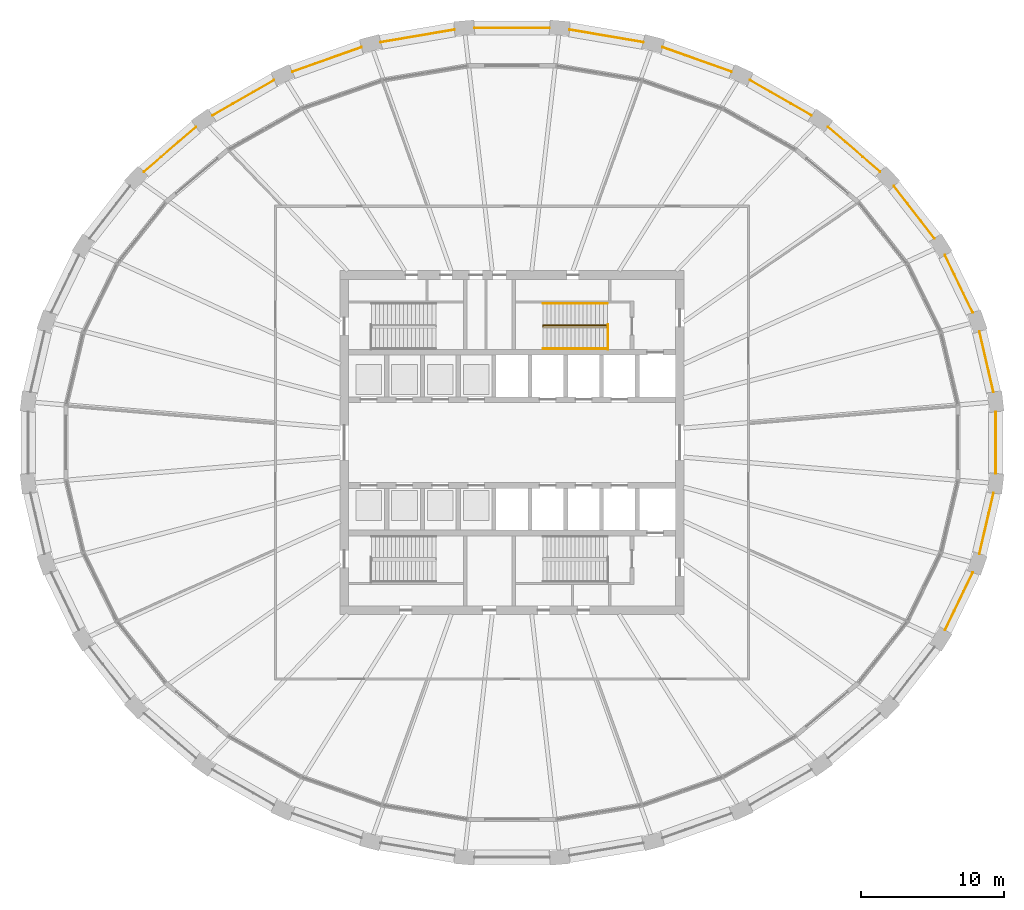
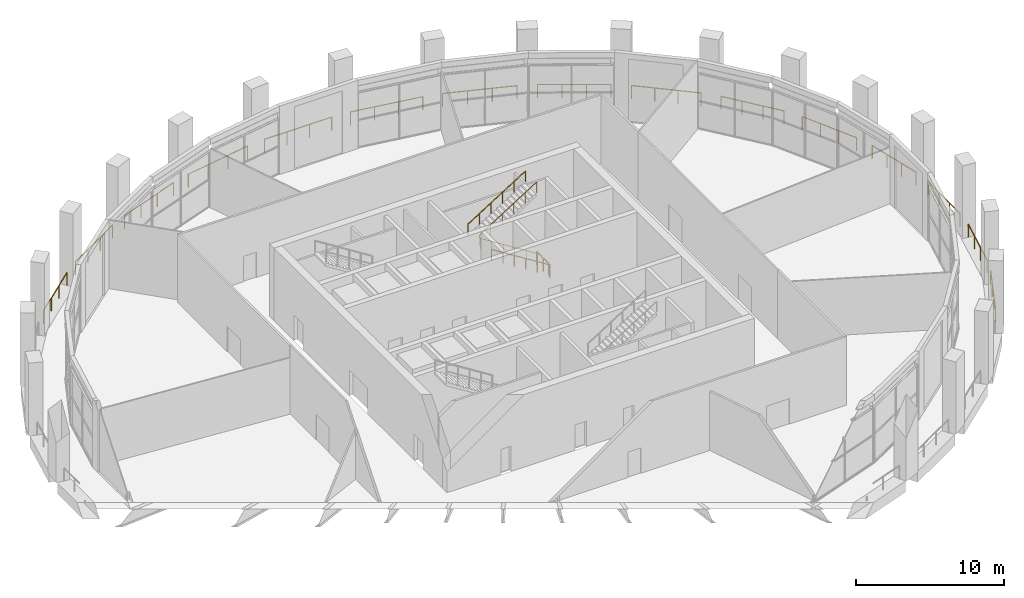
# One storey, part 18 of 19: 19 railings.
"""IFC4 building model written with IfcOpenShell, lengths in metres."""

from ifc_helpers import new_model, si_unit, direction, frame, origin, origin_2d, place, context, subcontext, project, spatial, circle, extrude, material, type_object, element, save


model = new_model("IFC4")

# Units and contexts
model_context = context("Model", 3, precision=1e-05, world=origin(), true_north=direction((0.0, 1.0)))
body_context = subcontext(model_context, "Body", "Model", "MODEL_VIEW")
ifc_project = project(units=[si_unit("LENGTHUNIT", "METRE"), si_unit("AREAUNIT", "SQUARE_METRE"), si_unit("VOLUMEUNIT", "CUBIC_METRE"), si_unit("PLANEANGLEUNIT", "RADIAN"), si_unit("MASSUNIT", "GRAM", prefix="KILO")], contexts=[model_context])

# Site, building, storey
site_placement = place(None, origin())
site = spatial("IfcSite", under=ifc_project, at=site_placement, CompositionType="ELEMENT")
building_placement = place(site_placement, origin())
building = spatial("IfcBuilding", under=site, at=building_placement, Name="Halqa Exchange Tower", CompositionType="ELEMENT")
storey_placement = place(building_placement, frame((0.0, 0.0, 167.5)))
storey = spatial("IfcBuildingStorey", under=building, at=storey_placement, Name="L38", CompositionType="ELEMENT", Elevation=167.5)

# Railings
ifc_material = material(Name="Stainless steel", Category="steel")
railing_type_1 = type_object("IfcRailingType", Name="Guard 1100 stainless steel", PredefinedType="GUARDRAIL", material=ifc_material)
railing_1_placement = place(storey_placement, frame((33.599609375, 3.53173828125, 0.0)))
element("IfcRailing", 1, at=railing_1_placement, inside=storey, type_object=railing_type_1, Name="Loggia guard 1", PredefinedType="GUARDRAIL", context=body_context, shape_type="SweptSolid", body=[
    extrude(circle(Radius=0.02392578125, at=origin_2d()), frame((0.0, 0.0, 1.076171875), z_axis=(-0.226083943623, 0.974107822798, 0.0), x_axis=(-0.974107822798, -0.226083943623, 0.0)), (0.0, 0.0, 1.0), 4.3388671875),
    extrude(circle(Radius=0.02099609375, at=origin_2d()), origin(), (0.0, 0.0, 1.0), 1.052001953125),
    extrude(circle(Radius=0.02099609375, at=origin_2d()), frame((-0.326904296875, 1.408935546875, 0.0)), (0.0, 0.0, 1.0), 1.052001953125),
    extrude(circle(Radius=0.02099609375, at=origin_2d()), frame((-0.654052734375, 2.817626953125, 0.0)), (0.0, 0.0, 1.0), 1.052001953125),
    extrude(circle(Radius=0.02099609375, at=origin_2d()), frame((-0.98095703125, 4.2265625, 0.0)), (0.0, 0.0, 1.0), 1.052001953125),
])
railing_2_placement = place(storey_placement, frame((32.156005859375, 9.0703125, 0.0)))
element("IfcRailing", 2, at=railing_2_placement, inside=storey, type_object=railing_type_1, Name="Loggia guard 2", PredefinedType="GUARDRAIL", context=body_context, shape_type="SweptSolid", body=[
    extrude(circle(Radius=0.02392578125, at=origin_2d()), frame((0.0, 0.0, 1.076171875), z_axis=(-0.435143450916, 0.900361137058, 0.0), x_axis=(-0.900361137058, -0.435143450916, 0.0)), (0.0, 0.0, 1.0), 4.44873046875),
    extrude(circle(Radius=0.02099609375, at=origin_2d()), origin(), (0.0, 0.0, 1.0), 1.052001953125),
    extrude(circle(Radius=0.02099609375, at=origin_2d()), frame((-0.645263671875, 1.335205078125, 0.0)), (0.0, 0.0, 1.0), 1.052001953125),
    extrude(circle(Radius=0.02099609375, at=origin_2d()), frame((-1.29052734375, 2.670166015625, 0.0)), (0.0, 0.0, 1.0), 1.052001953125),
    extrude(circle(Radius=0.02099609375, at=origin_2d()), frame((-1.935791015625, 4.00537109375, 0.0)), (0.0, 0.0, 1.0), 1.052001953125),
])
railing_3_placement = place(storey_placement, frame((29.4853515625, 14.258056640625, 0.0)))
element("IfcRailing", 3, at=railing_3_placement, inside=storey, type_object=railing_type_1, Name="Loggia guard 3", PredefinedType="GUARDRAIL", context=body_context, shape_type="SweptSolid", body=[
    extrude(circle(Radius=0.02392578125, at=origin_2d()), frame((0.0, 0.0, 1.076171875), z_axis=(-0.614787396714, 0.788692878655, 0.0), x_axis=(-0.788692878655, -0.614787396714, 0.0)), (0.0, 0.0, 1.0), 4.60888671875),
    extrude(circle(Radius=0.02099609375, at=origin_2d()), origin(), (0.0, 0.0, 1.0), 1.052001953125),
    extrude(circle(Radius=0.02099609375, at=origin_2d()), frame((-0.944580078125, 1.211669921875, 0.0)), (0.0, 0.0, 1.0), 1.052001953125),
    extrude(circle(Radius=0.02099609375, at=origin_2d()), frame((-1.888916015625, 2.42333984375, 0.0)), (0.0, 0.0, 1.0), 1.052001953125),
    extrude(circle(Radius=0.02099609375, at=origin_2d()), frame((-2.83349609375, 3.635009765625, 0.0)), (0.0, 0.0, 1.0), 1.052001953125),
])
railing_4_placement = place(storey_placement, frame((25.68994140625, 18.900634765625, 0.0)))
element("IfcRailing", 4, at=railing_4_placement, inside=storey, type_object=railing_type_1, Name="Loggia guard 4", PredefinedType="GUARDRAIL", context=body_context, shape_type="SweptSolid", body=[
    extrude(circle(Radius=0.02392578125, at=origin_2d()), frame((0.0, 0.0, 1.076171875), z_axis=(-0.759245815902, 0.650803957452, 0.0), x_axis=(-0.650803957452, -0.759245815902, 0.0)), (0.0, 0.0, 1.0), 4.793212890625),
    extrude(circle(Radius=0.02099609375, at=origin_2d()), origin(), (0.0, 0.0, 1.0), 1.052001953125),
    extrude(circle(Radius=0.02099609375, at=origin_2d()), frame((-1.213134765625, 1.039794921875, 0.0)), (0.0, 0.0, 1.0), 1.052001953125),
    extrude(circle(Radius=0.02099609375, at=origin_2d()), frame((-2.426025390625, 2.07958984375, 0.0)), (0.0, 0.0, 1.0), 1.052001953125),
    extrude(circle(Radius=0.02099609375, at=origin_2d()), frame((-3.63916015625, 3.119384765625, 0.0)), (0.0, 0.0, 1.0), 1.052001953125),
])
railing_5_placement = place(storey_placement, frame((20.911865234375, 22.8232421875, 0.0)))
element("IfcRailing", 5, at=railing_5_placement, inside=storey, type_object=railing_type_1, Name="Loggia guard 5", PredefinedType="GUARDRAIL", context=body_context, shape_type="SweptSolid", body=[
    extrude(circle(Radius=0.02392578125, at=origin_2d()), frame((0.0, 0.0, 1.076171875), z_axis=(-0.867750144397, 0.497000691044, 0.0), x_axis=(-0.497000691044, -0.867750144397, 0.0)), (0.0, 0.0, 1.0), 4.9716796875),
    extrude(circle(Radius=0.02099609375, at=origin_2d()), origin(), (0.0, 0.0, 1.0), 1.052001953125),
    extrude(circle(Radius=0.02099609375, at=origin_2d()), frame((-1.43798828125, 0.82373046875, 0.0)), (0.0, 0.0, 1.0), 1.052001953125),
    extrude(circle(Radius=0.02099609375, at=origin_2d()), frame((-2.876220703125, 1.647216796875, 0.0)), (0.0, 0.0, 1.0), 1.052001953125),
    extrude(circle(Radius=0.02099609375, at=origin_2d()), frame((-4.314208984375, 2.470947265625, 0.0)), (0.0, 0.0, 1.0), 1.052001953125),
])
railing_6_placement = place(storey_placement, frame((15.33056640625, 25.876220703125, 0.0)))
element("IfcRailing", 6, at=railing_6_placement, inside=storey, type_object=railing_type_1, Name="Loggia guard 6", PredefinedType="GUARDRAIL", context=body_context, shape_type="SweptSolid", body=[
    extrude(circle(Radius=0.02392578125, at=origin_2d()), frame((0.0, 0.0, 1.076171875), z_axis=(-0.942356449768, 0.334610701532, 0.0), x_axis=(-0.334610701532, -0.942356449768, 0.0)), (0.0, 0.0, 1.0), 5.119140625),
    extrude(circle(Radius=0.02099609375, at=origin_2d()), origin(), (0.0, 0.0, 1.0), 1.052001953125),
    extrude(circle(Radius=0.02099609375, at=origin_2d()), frame((-1.60791015625, 0.571044921875, 0.0)), (0.0, 0.0, 1.0), 1.052001953125),
    extrude(circle(Radius=0.02099609375, at=origin_2d()), frame((-3.216064453125, 1.141845703125, 0.0)), (0.0, 0.0, 1.0), 1.052001953125),
    extrude(circle(Radius=0.02099609375, at=origin_2d()), frame((-4.823974609375, 1.712890625, 0.0)), (0.0, 0.0, 1.0), 1.052001953125),
])
railing_7_placement = place(storey_placement, frame((9.15673828125, 27.94091796875, 0.0)))
element("IfcRailing", 7, at=railing_7_placement, inside=storey, type_object=railing_type_1, Name="Loggia guard 7", PredefinedType="GUARDRAIL", context=body_context, shape_type="SweptSolid", body=[
    extrude(circle(Radius=0.02392578125, at=origin_2d()), frame((0.0, 0.0, 1.076171875), z_axis=(-0.985781275518, 0.168033558668, 0.0), x_axis=(-0.168033558668, -0.985781275518, 0.0)), (0.0, 0.0, 1.0), 5.216064453125),
    extrude(circle(Radius=0.02099609375, at=origin_2d()), origin(), (0.0, 0.0, 1.0), 1.052001953125),
    extrude(circle(Radius=0.02099609375, at=origin_2d()), frame((-1.7138671875, 0.292236328125, 0.0)), (0.0, 0.0, 1.0), 1.052001953125),
    extrude(circle(Radius=0.02099609375, at=origin_2d()), frame((-3.427978515625, 0.584228515625, 0.0)), (0.0, 0.0, 1.0), 1.052001953125),
    extrude(circle(Radius=0.02099609375, at=origin_2d()), frame((-5.141845703125, 0.87646484375, 0.0)), (0.0, 0.0, 1.0), 1.052001953125),
])
railing_8_placement = place(storey_placement, frame((2.624755859375, 28.935302734375, 0.0)))
element("IfcRailing", 8, at=railing_8_placement, inside=storey, type_object=railing_type_1, Name="Loggia guard 8", PredefinedType="GUARDRAIL", context=body_context, shape_type="SweptSolid", body=[
    extrude(circle(Radius=0.02392578125, at=origin_2d()), frame((0.0, 0.0, 1.076171875), z_axis=(-1.0, 0.0, 0.0), x_axis=(0.0, -1.0, 0.0)), (0.0, 0.0, 1.0), 5.24951171875),
    extrude(circle(Radius=0.02099609375, at=origin_2d()), origin(), (0.0, 0.0, 1.0), 1.052001953125),
    extrude(circle(Radius=0.02099609375, at=origin_2d()), frame((-1.749755859375, 0.0, 0.0)), (0.0, 0.0, 1.0), 1.052001953125),
    extrude(circle(Radius=0.02099609375, at=origin_2d()), frame((-3.499755859375, 0.0, 0.0)), (0.0, 0.0, 1.0), 1.052001953125),
    extrude(circle(Radius=0.02099609375, at=origin_2d()), frame((-5.24951171875, 0.0, 0.0)), (0.0, 0.0, 1.0), 1.052001953125),
])
railing_9_placement = place(storey_placement, frame((-4.014892578125, 28.8173828125, 0.0)))
element("IfcRailing", 9, at=railing_9_placement, inside=storey, type_object=railing_type_1, Name="Loggia guard 9", PredefinedType="GUARDRAIL", context=body_context, shape_type="SweptSolid", body=[
    extrude(circle(Radius=0.02392578125, at=origin_2d()), frame((0.0, 0.0, 1.076171875), z_axis=(-0.985781275518, -0.168033558668, 0.0), x_axis=(0.168033558668, -0.985781275518, 0.0)), (0.0, 0.0, 1.0), 5.216064453125),
    extrude(circle(Radius=0.02099609375, at=origin_2d()), origin(), (0.0, 0.0, 1.0), 1.052001953125),
    extrude(circle(Radius=0.02099609375, at=origin_2d()), frame((-1.7138671875, -0.292236328125, 0.0)), (0.0, 0.0, 1.0), 1.052001953125),
    extrude(circle(Radius=0.02099609375, at=origin_2d()), frame((-3.427978515625, -0.584228515625, 0.0)), (0.0, 0.0, 1.0), 1.052001953125),
    extrude(circle(Radius=0.02099609375, at=origin_2d()), frame((-5.141845703125, -0.87646484375, 0.0)), (0.0, 0.0, 1.0), 1.052001953125),
])
railing_10_placement = place(storey_placement, frame((-10.506591796875, 27.589111328125, 0.0)))
element("IfcRailing", 10, at=railing_10_placement, inside=storey, type_object=railing_type_1, Name="Loggia guard 10", PredefinedType="GUARDRAIL", context=body_context, shape_type="SweptSolid", body=[
    extrude(circle(Radius=0.02392578125, at=origin_2d()), frame((0.0, 0.0, 1.076171875), z_axis=(-0.942356449768, -0.334610701532, 0.0), x_axis=(0.334610701532, -0.942356449768, 0.0)), (0.0, 0.0, 1.0), 5.119140625),
    extrude(circle(Radius=0.02099609375, at=origin_2d()), origin(), (0.0, 0.0, 1.0), 1.052001953125),
    extrude(circle(Radius=0.02099609375, at=origin_2d()), frame((-1.60791015625, -0.571044921875, 0.0)), (0.0, 0.0, 1.0), 1.052001953125),
    extrude(circle(Radius=0.02099609375, at=origin_2d()), frame((-3.216064453125, -1.141845703125, 0.0)), (0.0, 0.0, 1.0), 1.052001953125),
    extrude(circle(Radius=0.02099609375, at=origin_2d()), frame((-4.823974609375, -1.712890625, 0.0)), (0.0, 0.0, 1.0), 1.052001953125),
])
railing_11_placement = place(storey_placement, frame((-16.59765625, 25.294189453125, 0.0)))
element("IfcRailing", 11, at=railing_11_placement, inside=storey, type_object=railing_type_1, Name="Loggia guard 11", PredefinedType="GUARDRAIL", context=body_context, shape_type="SweptSolid", body=[
    extrude(circle(Radius=0.02392578125, at=origin_2d()), frame((0.0, 0.0, 1.076171875), z_axis=(-0.867750144397, -0.497000691044, 0.0), x_axis=(0.497000691044, -0.867750144397, 0.0)), (0.0, 0.0, 1.0), 4.9716796875),
    extrude(circle(Radius=0.02099609375, at=origin_2d()), origin(), (0.0, 0.0, 1.0), 1.052001953125),
    extrude(circle(Radius=0.02099609375, at=origin_2d()), frame((-1.43798828125, -0.82373046875, 0.0)), (0.0, 0.0, 1.0), 1.052001953125),
    extrude(circle(Radius=0.02099609375, at=origin_2d()), frame((-2.876220703125, -1.647216796875, 0.0)), (0.0, 0.0, 1.0), 1.052001953125),
    extrude(circle(Radius=0.02099609375, at=origin_2d()), frame((-4.314208984375, -2.470947265625, 0.0)), (0.0, 0.0, 1.0), 1.052001953125),
])
railing_12_placement = place(storey_placement, frame((-22.05078125, 22.02001953125, 0.0)))
element("IfcRailing", 12, at=railing_12_placement, inside=storey, type_object=railing_type_1, Name="Loggia guard 12", PredefinedType="GUARDRAIL", context=body_context, shape_type="SweptSolid", body=[
    extrude(circle(Radius=0.02392578125, at=origin_2d()), frame((0.0, 0.0, 1.076171875), z_axis=(-0.759245815902, -0.650803957452, 0.0), x_axis=(0.650803957452, -0.759245815902, 0.0)), (0.0, 0.0, 1.0), 4.793212890625),
    extrude(circle(Radius=0.02099609375, at=origin_2d()), origin(), (0.0, 0.0, 1.0), 1.052001953125),
    extrude(circle(Radius=0.02099609375, at=origin_2d()), frame((-1.213134765625, -1.039794921875, 0.0)), (0.0, 0.0, 1.0), 1.052001953125),
    extrude(circle(Radius=0.02099609375, at=origin_2d()), frame((-2.426025390625, -2.07958984375, 0.0)), (0.0, 0.0, 1.0), 1.052001953125),
    extrude(circle(Radius=0.02099609375, at=origin_2d()), frame((-3.63916015625, -3.119384765625, 0.0)), (0.0, 0.0, 1.0), 1.052001953125),
])
railing_13_placement = place(storey_placement, frame((30.22021484375, -13.07568359375, 0.0)))
element("IfcRailing", 13, at=railing_13_placement, inside=storey, type_object=railing_type_1, Name="Loggia guard 30", PredefinedType="GUARDRAIL", context=body_context, shape_type="SweptSolid", body=[
    extrude(circle(Radius=0.02392578125, at=origin_2d()), frame((0.0, 0.0, 1.076171875), z_axis=(0.435143450916, 0.900361137058, 0.0), x_axis=(-0.900361137058, 0.435143450916, 0.0)), (0.0, 0.0, 1.0), 4.44873046875),
    extrude(circle(Radius=0.02099609375, at=origin_2d()), origin(), (0.0, 0.0, 1.0), 1.052001953125),
    extrude(circle(Radius=0.02099609375, at=origin_2d()), frame((0.645263671875, 1.335205078125, 0.0)), (0.0, 0.0, 1.0), 1.052001953125),
    extrude(circle(Radius=0.02099609375, at=origin_2d()), frame((1.29052734375, 2.670166015625, 0.0)), (0.0, 0.0, 1.0), 1.052001953125),
    extrude(circle(Radius=0.02099609375, at=origin_2d()), frame((1.935791015625, 4.00537109375, 0.0)), (0.0, 0.0, 1.0), 1.052001953125),
])
railing_14_placement = place(storey_placement, frame((32.61865234375, -7.75830078125, 0.0)))
element("IfcRailing", 14, at=railing_14_placement, inside=storey, type_object=railing_type_1, Name="Loggia guard 31", PredefinedType="GUARDRAIL", context=body_context, shape_type="SweptSolid", body=[
    extrude(circle(Radius=0.02392578125, at=origin_2d()), frame((0.0, 0.0, 1.076171875), z_axis=(0.226083943623, 0.974107822798, 0.0), x_axis=(-0.974107822798, 0.226083943623, 0.0)), (0.0, 0.0, 1.0), 4.3388671875),
    extrude(circle(Radius=0.02099609375, at=origin_2d()), origin(), (0.0, 0.0, 1.0), 1.052001953125),
    extrude(circle(Radius=0.02099609375, at=origin_2d()), frame((0.326904296875, 1.408935546875, 0.0)), (0.0, 0.0, 1.0), 1.052001953125),
    extrude(circle(Radius=0.02099609375, at=origin_2d()), frame((0.654052734375, 2.817626953125, 0.0)), (0.0, 0.0, 1.0), 1.052001953125),
    extrude(circle(Radius=0.02099609375, at=origin_2d()), frame((0.98095703125, 4.2265625, 0.0)), (0.0, 0.0, 1.0), 1.052001953125),
])
railing_15_placement = place(storey_placement, frame((33.7578125, -2.14990234375, 0.0)))
element("IfcRailing", 15, at=railing_15_placement, inside=storey, type_object=railing_type_1, Name="Loggia guard 32", PredefinedType="GUARDRAIL", context=body_context, shape_type="SweptSolid", body=[
    extrude(circle(Radius=0.02392578125, at=origin_2d()), frame((0.0, 0.0, 1.076171875), z_axis=(0.0, 1.0, 0.0), x_axis=(-1.0, 0.0, 0.0)), (0.0, 0.0, 1.0), 4.2998046875),
    extrude(circle(Radius=0.02099609375, at=origin_2d()), origin(), (0.0, 0.0, 1.0), 1.052001953125),
    extrude(circle(Radius=0.02099609375, at=origin_2d()), frame((0.0, 1.433349609375, 0.0)), (0.0, 0.0, 1.0), 1.052001953125),
    extrude(circle(Radius=0.02099609375, at=origin_2d()), frame((0.0, 2.866455078125, 0.0)), (0.0, 0.0, 1.0), 1.052001953125),
    extrude(circle(Radius=0.02099609375, at=origin_2d()), frame((0.0, 4.2998046875, 0.0)), (0.0, 0.0, 1.0), 1.052001953125),
])
railing_type_2 = type_object("IfcRailingType", Name="Stair handrail 900", PredefinedType="HANDRAIL", material=ifc_material)
railing_16_placement = place(storey_placement, frame((6.64990234375, 8.06005859375, 0.176513671875)))
element("IfcRailing", 16, at=railing_16_placement, inside=storey, type_object=railing_type_2, Name="Handrail ST2.1", PredefinedType="HANDRAIL", context=body_context, shape_type="SweptSolid", body=[
    extrude(circle(Radius=0.02392578125, at=origin_2d()), frame((0.0, 0.0, 0.8759765625), z_axis=(-0.845997938375, 0.0, 0.533186166611), x_axis=(0.0, -1.0, 0.0)), (0.0, 0.0, 1.0), 5.29541015625),
    extrude(circle(Radius=0.02392578125, at=origin_2d()), frame((-4.47998046875, 0.0, 3.69921875), z_axis=(0.0, 0.592666891562, 0.805447674059), x_axis=(-1.0, 0.0, 0.0)), (0.0, 0.0, 1.0), 0.21923828125),
    extrude(circle(Radius=0.02392578125, at=origin_2d()), frame((-4.47998046875, 0.1298828125, 3.8759765625), z_axis=(0.845997938375, 0.0, 0.533186166611), x_axis=(0.0, 1.0, 0.0)), (0.0, 0.0, 1.0), 5.29541015625),
    extrude(circle(Radius=0.02099609375, at=origin_2d()), origin(), (0.0, 0.0, 1.0), 0.851806640625),
    extrude(circle(Radius=0.02099609375, at=origin_2d()), frame((-0.89599609375, 0.0, 0.564697265625)), (0.0, 0.0, 1.0), 0.851806640625),
    extrude(circle(Radius=0.02099609375, at=origin_2d()), frame((-1.7919921875, 0.0, 1.12939453125)), (0.0, 0.0, 1.0), 0.851806640625),
    extrude(circle(Radius=0.02099609375, at=origin_2d()), frame((-2.68798828125, 0.0, 1.694091796875)), (0.0, 0.0, 1.0), 0.851806640625),
    extrude(circle(Radius=0.02099609375, at=origin_2d()), frame((-3.583984375, 0.0, 2.2587890625)), (0.0, 0.0, 1.0), 0.851806640625),
    extrude(circle(Radius=0.02099609375, at=origin_2d()), frame((-4.47998046875, 0.0, 2.823486328125)), (0.0, 0.0, 1.0), 0.851806640625),
    extrude(circle(Radius=0.02099609375, at=origin_2d()), frame((-4.47998046875, 0.1298828125, 3.0)), (0.0, 0.0, 1.0), 0.851806640625),
    extrude(circle(Radius=0.02099609375, at=origin_2d()), frame((-3.583984375, 0.1298828125, 3.564697265625)), (0.0, 0.0, 1.0), 0.851806640625),
    extrude(circle(Radius=0.02099609375, at=origin_2d()), frame((-2.68798828125, 0.1298828125, 4.12939453125)), (0.0, 0.0, 1.0), 0.851806640625),
    extrude(circle(Radius=0.02099609375, at=origin_2d()), frame((-1.7919921875, 0.1298828125, 4.694091796875)), (0.0, 0.0, 1.0), 0.851806640625),
    extrude(circle(Radius=0.02099609375, at=origin_2d()), frame((-0.89599609375, 0.1298828125, 5.2587890625)), (0.0, 0.0, 1.0), 0.851806640625),
    extrude(circle(Radius=0.02099609375, at=origin_2d()), frame((0.0, 0.1298828125, 5.823486328125)), (0.0, 0.0, 1.0), 0.851806640625),
])
railing_17_placement = place(storey_placement, frame((6.64990234375, 6.550048828125, 0.176513671875)))
element("IfcRailing", 17, at=railing_17_placement, inside=storey, type_object=railing_type_2, Name="Handrail ST2.2", PredefinedType="HANDRAIL", context=body_context, shape_type="SweptSolid", body=[
    extrude(circle(Radius=0.02392578125, at=origin_2d()), frame((0.0, 0.0, 0.8759765625), z_axis=(-0.845997938375, 0.0, 0.533186166611), x_axis=(0.0, -1.0, 0.0)), (0.0, 0.0, 1.0), 5.29541015625),
    extrude(circle(Radius=0.02099609375, at=origin_2d()), origin(), (0.0, 0.0, 1.0), 0.851806640625),
    extrude(circle(Radius=0.02099609375, at=origin_2d()), frame((-0.89599609375, 0.0, 0.564697265625)), (0.0, 0.0, 1.0), 0.851806640625),
    extrude(circle(Radius=0.02099609375, at=origin_2d()), frame((-1.7919921875, 0.0, 1.12939453125)), (0.0, 0.0, 1.0), 0.851806640625),
    extrude(circle(Radius=0.02099609375, at=origin_2d()), frame((-2.68798828125, 0.0, 1.694091796875)), (0.0, 0.0, 1.0), 0.851806640625),
    extrude(circle(Radius=0.02099609375, at=origin_2d()), frame((-3.583984375, 0.0, 2.2587890625)), (0.0, 0.0, 1.0), 0.851806640625),
    extrude(circle(Radius=0.02099609375, at=origin_2d()), frame((-4.47998046875, 0.0, 2.823486328125)), (0.0, 0.0, 1.0), 0.851806640625),
])
railing_18_placement = place(storey_placement, frame((2.169921875, 9.699951171875, 3.176513671875)))
element("IfcRailing", 18, at=railing_18_placement, inside=storey, type_object=railing_type_2, Name="Handrail ST2.3", PredefinedType="HANDRAIL", context=body_context, shape_type="SweptSolid", body=[
    extrude(circle(Radius=0.02392578125, at=origin_2d()), frame((0.0, 0.0, 0.8759765625), z_axis=(0.845997938375, 0.0, 0.533186166611), x_axis=(0.0, 1.0, 0.0)), (0.0, 0.0, 1.0), 5.29541015625),
    extrude(circle(Radius=0.02099609375, at=origin_2d()), origin(), (0.0, 0.0, 1.0), 0.851806640625),
    extrude(circle(Radius=0.02099609375, at=origin_2d()), frame((0.89599609375, 0.0, 0.564697265625)), (0.0, 0.0, 1.0), 0.851806640625),
    extrude(circle(Radius=0.02099609375, at=origin_2d()), frame((1.7919921875, 0.0, 1.12939453125)), (0.0, 0.0, 1.0), 0.851806640625),
    extrude(circle(Radius=0.02099609375, at=origin_2d()), frame((2.68798828125, 0.0, 1.694091796875)), (0.0, 0.0, 1.0), 0.851806640625),
    extrude(circle(Radius=0.02099609375, at=origin_2d()), frame((3.583984375, 0.0, 2.2587890625)), (0.0, 0.0, 1.0), 0.851806640625),
    extrude(circle(Radius=0.02099609375, at=origin_2d()), frame((4.47998046875, 0.0, 2.823486328125)), (0.0, 0.0, 1.0), 0.851806640625),
])
railing_type_3 = type_object("IfcRailingType", Name="Stair well guard 1100", PredefinedType="GUARDRAIL", material=ifc_material)
railing_19_placement = place(storey_placement, frame((6.699951171875, 6.5, 0.0)))
element("IfcRailing", 19, at=railing_19_placement, inside=storey, type_object=railing_type_3, Name="Guard ST2 well", PredefinedType="GUARDRAIL", context=body_context, shape_type="SweptSolid", body=[
    extrude(circle(Radius=0.02392578125, at=origin_2d()), frame((0.0, 0.0, 1.076171875), z_axis=(0.0, 1.0, 0.0), x_axis=(-1.0, 0.0, 0.0)), (0.0, 0.0, 1.0), 1.75),
    extrude(circle(Radius=0.02099609375, at=origin_2d()), origin(), (0.0, 0.0, 1.0), 1.052001953125),
    extrude(circle(Radius=0.02099609375, at=origin_2d()), frame((0.0, 0.875, 0.0)), (0.0, 0.0, 1.0), 1.052001953125),
    extrude(circle(Radius=0.02099609375, at=origin_2d()), frame((0.0, 1.75, 0.0)), (0.0, 0.0, 1.0), 1.052001953125),
])

save(model, "model.ifc")
